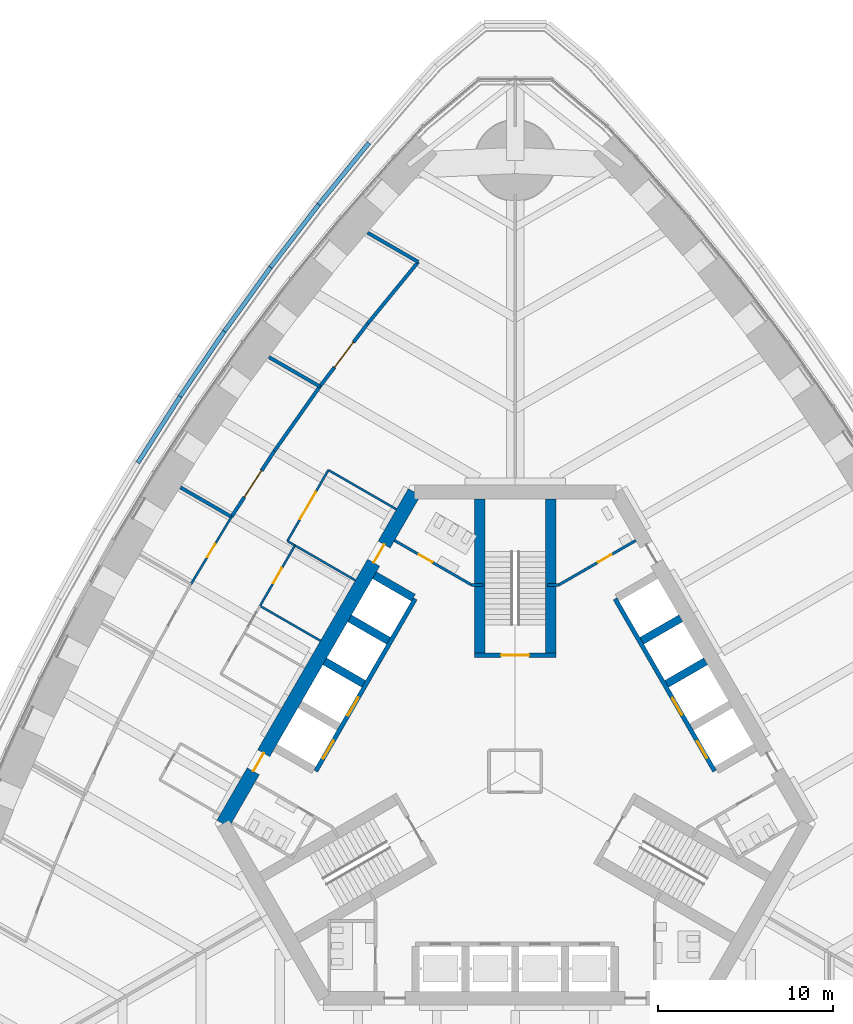
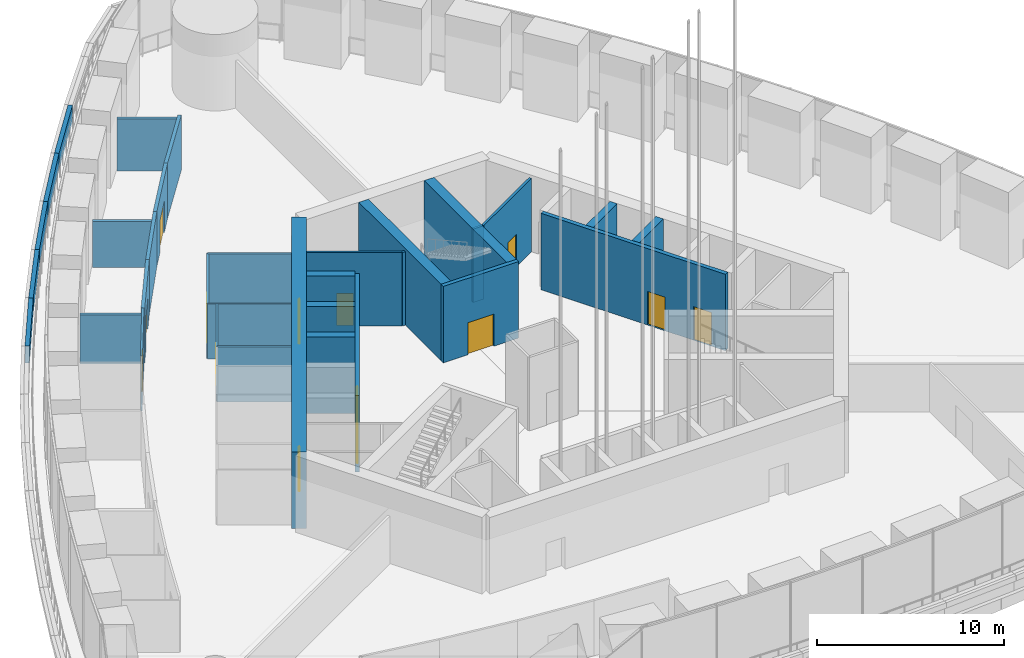
# One storey, part 16 of 33: 33 walls, 14 doors, 14 openings.
"""IFC4 building model written with IfcOpenShell, lengths in metres."""

from ifc_helpers import new_model, si_unit, direction, frame, frame_2d, origin, place, context, subcontext, project, spatial, rectangle, extrude, material, layer, layer_set, type_object, element, fill, save


model = new_model("IFC4")

# Units and contexts
model_context = context("Model", 3, precision=1e-05, world=origin(), true_north=direction((0.0, 1.0)))
body_context = subcontext(model_context, "Body", "Model", "MODEL_VIEW")
ifc_project = project(units=[si_unit("LENGTHUNIT", "METRE"), si_unit("AREAUNIT", "SQUARE_METRE"), si_unit("VOLUMEUNIT", "CUBIC_METRE"), si_unit("PLANEANGLEUNIT", "RADIAN"), si_unit("MASSUNIT", "GRAM", prefix="KILO")], contexts=[model_context])

# Site, building, storey
site_placement = place(None, origin())
site = spatial("IfcSite", under=ifc_project, at=site_placement, CompositionType="ELEMENT")
building_placement = place(site_placement, origin())
building = spatial("IfcBuilding", under=site, at=building_placement, Name="Trefoil Bronze Tower", CompositionType="ELEMENT")
storey_placement = place(building_placement, frame((0.0, 0.0, 98.10009765625)))
storey = spatial("IfcBuildingStorey", under=building, at=storey_placement, Name="L22", CompositionType="ELEMENT", Elevation=98.10009765625)

# Wall
ifc_material_1 = material(Name="Gypsum board on steel studs", Category="steel")
ifc_layer_1 = layer(ifc_material_1, 0.199951171875)
ifc_layer_set_1 = layer_set([ifc_layer_1], Name="Acoustic partition 200")
wall_type_1 = type_object("IfcWallType", Name="Acoustic partition 200", PredefinedType="PARTITIONING", material=ifc_layer_set_1)
wall_1_placement = place(storey_placement, frame((-11.192138671875, 22.05029296875, 0.0), z_axis=(0.0, 0.0, 1.0), x_axis=(-0.575987178736, -0.817458726745, 0.0)))
element("IfcWall", 1, at=wall_1_placement, inside=storey, type_object=wall_type_1, Name="Partition F3 L22", PredefinedType="PARTITIONING", context=body_context, shape_type="SweptSolid", body=[
    extrude(rectangle(XDim=4.518310546875, YDim=0.199951171875, at=frame_2d((2.25927734375, 0.0))), origin(), (0.0, 0.0, 1.0), 3.599853515625),
])

# Wall, opening, door
wall_2_placement = place(storey_placement, frame((-8.446533203125, 25.6611328125, 0.0), z_axis=(0.0, 0.0, 1.0), x_axis=(-0.605274299339, -0.796016973789, 0.0)))
wall_2 = element("IfcWall", 2, at=wall_2_placement, inside=storey, type_object=wall_type_1, Name="Partition F3 L22", PredefinedType="PARTITIONING", context=body_context, shape_type="SweptSolid", body=[
    extrude(rectangle(XDim=4.5361328125, YDim=0.199951171875, at=frame_2d((2.26806640625, 0.0))), origin(), (0.0, 0.0, 1.0), 3.599853515625),
])
opening_1_placement = place(wall_2_placement, frame((1.35009765625, 0.0, 0.0)))
opening_1 = element("IfcOpeningElement", 3, at=opening_1_placement, cuts=wall_2, Name="Opening D10", PredefinedType="OPENING", context=body_context, shape_type="SweptSolid", body=[
    extrude(rectangle(XDim=1.800048828125, YDim=2.10009765625, at=frame_2d((0.89990234375, 1.050048828125))), frame((0.0, 0.10986328125, 0.0), z_axis=(0.0, -1.0, 0.0), x_axis=(1.0, 0.0, 0.0)), (0.0, 0.0, 1.0), 0.219970703125),
])
ifc_material_2 = material(Name="Timber door", Category="wood")
door_type_1 = type_object("IfcDoorType", Name="Double door 1800", OperationType="DOUBLE_DOOR_SINGLE_SWING", PredefinedType="DOOR", material=ifc_material_2)
door_1_placement = place(opening_1_placement, frame((1.800048828125, 0.0, 0.0), z_axis=(0.0, 0.0, 1.0), x_axis=(-1.0, 0.0, 0.0)))
door_1 = element("IfcDoor", 4, at=door_1_placement, inside=storey, type_object=door_type_1, Name="Conference room door F3 L22", OperationType="DOUBLE_DOOR_SINGLE_SWING", OverallHeight=2.10009765625, OverallWidth=1.800048828125, PredefinedType="DOOR", context=body_context, shape_type="SweptSolid", body=[
    extrude(rectangle(XDim=1.800048828125, YDim=2.10009765625, at=frame_2d((0.89990234375, 1.050048828125))), frame((0.0, 0.02490234375, 0.0), z_axis=(0.0, -1.0, 0.0), x_axis=(1.0, 0.0, 0.0)), (0.0, 0.0, 1.0), 0.050048828125),
])
fill(opening_1, door_1)

# Wall
wall_3_placement = place(storey_placement, frame((-5.555908203125, 29.1884765625, 0.0), z_axis=(0.0, 0.0, 1.0), x_axis=(-0.633843962561, -0.773460943503, 0.0)))
element("IfcWall", 5, at=wall_3_placement, inside=storey, type_object=wall_type_1, Name="Partition F3 L22", PredefinedType="PARTITIONING", context=body_context, shape_type="SweptSolid", body=[
    extrude(rectangle(XDim=4.560546875, YDim=0.199951171875, at=frame_2d((2.2802734375, 0.0))), origin(), (0.0, 0.0, 1.0), 3.599853515625),
])

# Wall, opening, door
wall_4_placement = place(storey_placement, frame((-13.794677734375, 18.356689453125, 0.0), z_axis=(0.0, 0.0, 1.0), x_axis=(-0.546069464151, -0.837739900161, 0.0)))
wall_4 = element("IfcWall", 6, at=wall_4_placement, inside=storey, type_object=wall_type_1, Name="Partition F3 L22", PredefinedType="PARTITIONING", context=body_context, shape_type="SweptSolid", body=[
    extrude(rectangle(XDim=4.506591796875, YDim=0.199951171875, at=frame_2d((2.25341796875, 0.0))), origin(), (0.0, 0.0, 1.0), 3.599853515625),
])
opening_2_placement = place(wall_4_placement, frame((1.35009765625, 0.0, 0.0)))
opening_2 = element("IfcOpeningElement", 7, at=opening_2_placement, cuts=wall_4, Name="Opening D10", PredefinedType="OPENING", context=body_context, shape_type="SweptSolid", body=[
    extrude(rectangle(XDim=1.800048828125, YDim=2.10009765625, at=frame_2d((0.89990234375, 1.050048828125))), frame((0.0, 0.10986328125, 0.0), z_axis=(0.0, -1.0, 0.0), x_axis=(1.0, 0.0, 0.0)), (0.0, 0.0, 1.0), 0.219970703125),
])
door_2_placement = place(opening_2_placement, frame((1.800048828125, 0.0, 0.0), z_axis=(0.0, 0.0, 1.0), x_axis=(-1.0, 0.0, 0.0)))
door_2 = element("IfcDoor", 8, at=door_2_placement, inside=storey, type_object=door_type_1, Name="Conference room door F3 L22", OperationType="DOUBLE_DOOR_SINGLE_SWING", OverallHeight=2.10009765625, OverallWidth=1.800048828125, PredefinedType="DOOR", context=body_context, shape_type="SweptSolid", body=[
    extrude(rectangle(XDim=1.800048828125, YDim=2.10009765625, at=frame_2d((0.89990234375, 1.050048828125))), frame((0.0, 0.02490234375, 0.0), z_axis=(0.0, -1.0, 0.0), x_axis=(1.0, 0.0, 0.0)), (0.0, 0.0, 1.0), 0.050048828125),
])
fill(opening_2, door_2)

# Walls
wall_5_placement = place(storey_placement, frame((-11.192138671875, 22.05029296875, 0.0), z_axis=(0.0, 0.0, 1.0), x_axis=(-0.866025882247, 0.499999171277, 0.0)))
element("IfcWall", 9, at=wall_5_placement, inside=storey, type_object=wall_type_1, Name="Partition F3 L22", PredefinedType="PARTITIONING", context=body_context, shape_type="SweptSolid", body=[
    extrude(rectangle(XDim=3.3603515625, YDim=0.199951171875, at=frame_2d((1.68017578125, 0.0))), origin(), (0.0, 0.0, 1.0), 3.0),
])
wall_6_placement = place(storey_placement, frame((-5.555908203125, 29.1884765625, 0.0), z_axis=(0.0, 0.0, 1.0), x_axis=(-0.866018979599, 0.50001112685, 0.0)))
element("IfcWall", 10, at=wall_6_placement, inside=storey, type_object=wall_type_1, Name="Partition F3 L22", PredefinedType="PARTITIONING", context=body_context, shape_type="SweptSolid", body=[
    extrude(rectangle(XDim=3.34326171875, YDim=0.199951171875, at=frame_2d((1.671630859375, 0.0))), origin(), (0.0, 0.0, 1.0), 3.39990234375),
])
wall_7_placement = place(storey_placement, frame((-16.255615234375, 14.581298828125, 0.0), z_axis=(0.0, 0.0, 1.0), x_axis=(-0.866022675988, 0.500004724652, 0.0)))
element("IfcWall", 11, at=wall_7_placement, inside=storey, type_object=wall_type_1, Name="Partition F3 L22", PredefinedType="PARTITIONING", context=body_context, shape_type="SweptSolid", body=[
    extrude(rectangle(XDim=3.369140625, YDim=0.199951171875, at=frame_2d((1.6845703125, 0.0))), origin(), (0.0, 0.0, 1.0), 3.199951171875),
])

# Wall, openings, doors
ifc_material_3 = material(Name="Concrete B80", Category="concrete")
ifc_layer_2 = layer(ifc_material_3, 0.800048828125)
ifc_layer_set_2 = layer_set([ifc_layer_2], Name="Core wall 800")
wall_type_2 = type_object("IfcWallType", Name="Core wall 800", PredefinedType="SHEAR", material=ifc_layer_set_2)
wall_8_placement = place(storey_placement, frame((-5.7734375, 16.0, 0.0), z_axis=(0.0, 0.0, 1.0), x_axis=(-0.500002442456, -0.866023993627, 0.0)))
wall_8 = element("IfcWall", 12, at=wall_8_placement, inside=storey, type_object=wall_type_2, Name="Core long wall 3 L22", PredefinedType="SHEAR", context=body_context, shape_type="SweptSolid", body=[
    extrude(rectangle(XDim=21.939453125, YDim=0.800048828125, at=frame_2d((10.9697265625, 0.0))), origin(), (0.0, 0.0, 1.0), 5.0),
])
opening_3_placement = place(wall_8_placement, frame((17.269775390625, 0.0, 0.0)))
opening_3 = element("IfcOpeningElement", 13, at=opening_3_placement, cuts=wall_8, Name="Opening D2", PredefinedType="OPENING", context=body_context, shape_type="SweptSolid", body=[
    extrude(rectangle(XDim=1.199951171875, YDim=2.10009765625, at=frame_2d((0.60009765625, 1.050048828125))), frame((0.0, 0.409912109375, 0.0), z_axis=(0.0, -1.0, 0.0), x_axis=(1.0, 0.0, 0.0)), (0.0, 0.0, 1.0), 0.820068359375),
])
opening_4_placement = place(wall_8_placement, frame((3.4697265625, 0.0, 0.0)))
opening_4 = element("IfcOpeningElement", 14, at=opening_4_placement, cuts=wall_8, Name="Opening D2", PredefinedType="OPENING", context=body_context, shape_type="SweptSolid", body=[
    extrude(rectangle(XDim=1.199951171875, YDim=2.10009765625, at=frame_2d((0.60009765625, 1.050048828125))), frame((0.0, 0.409912109375, 0.0), z_axis=(0.0, -1.0, 0.0), x_axis=(1.0, 0.0, 0.0)), (0.0, 0.0, 1.0), 0.820068359375),
])
ifc_material_4 = material(Name="Steel door", Category="steel")
door_type_2 = type_object("IfcDoorType", Name="Lobby door 1200", OperationType="SINGLE_SWING_RIGHT", PredefinedType="DOOR", material=ifc_material_4)
door_3_placement = place(opening_3_placement, origin())
door_3 = element("IfcDoor", 15, at=door_3_placement, inside=storey, type_object=door_type_2, Name="Lobby door F3+ L22", OperationType="SINGLE_SWING_RIGHT", OverallHeight=2.10009765625, OverallWidth=1.199951171875, PredefinedType="DOOR", context=body_context, shape_type="SweptSolid", body=[
    extrude(rectangle(XDim=1.199951171875, YDim=2.10009765625, at=frame_2d((0.60009765625, 1.050048828125))), frame((0.0, 0.02490234375, 0.0), z_axis=(0.0, -1.0, 0.0), x_axis=(1.0, 0.0, 0.0)), (0.0, 0.0, 1.0), 0.050048828125),
])
fill(opening_3, door_3)
door_4_placement = place(opening_4_placement, origin())
door_4 = element("IfcDoor", 16, at=door_4_placement, inside=storey, type_object=door_type_2, Name="Lobby door F3- L22", OperationType="SINGLE_SWING_LEFT", OverallHeight=2.10009765625, OverallWidth=1.199951171875, PredefinedType="DOOR", context=body_context, shape_type="SweptSolid", body=[
    extrude(rectangle(XDim=1.199951171875, YDim=2.10009765625, at=frame_2d((0.60009765625, 1.050048828125))), frame((0.0, 0.02490234375, 0.0), z_axis=(0.0, -1.0, 0.0), x_axis=(1.0, 0.0, 0.0)), (0.0, 0.0, 1.0), 0.050048828125),
])
fill(opening_4, door_4)

# Wall, opening, door
ifc_material_5 = material(Name="Glazed partition", Category="glass")
ifc_layer_3 = layer(ifc_material_5, 0.1201171875)
ifc_layer_set_3 = layer_set([ifc_layer_3], Name="Glazed partition 120")
wall_type_3 = type_object("IfcWallType", Name="Glazed partition 120", PredefinedType="PARTITIONING", material=ifc_layer_set_3)
wall_9_placement = place(storey_placement, frame((-12.618896484375, 12.943603515625, 0.0), z_axis=(0.0, 0.0, 1.0), x_axis=(-0.49999894854, -0.866026010844, 0.0)))
wall_9 = element("IfcWall", 17, at=wall_9_placement, inside=storey, type_object=wall_type_3, Name="Partition F3 L22", PredefinedType="PARTITIONING", context=body_context, shape_type="SweptSolid", body=[
    extrude(rectangle(XDim=4.0, YDim=0.1201171875, at=frame_2d((2.0, 0.0))), origin(), (0.0, 0.0, 1.0), 3.599853515625),
])
opening_5_placement = place(wall_9_placement, frame((1.5, 0.0, 0.0)))
opening_5 = element("IfcOpeningElement", 18, at=opening_5_placement, cuts=wall_9, Name="Opening D9", PredefinedType="OPENING", context=body_context, shape_type="SweptSolid", body=[
    extrude(rectangle(XDim=1.0, YDim=2.10009765625, at=frame_2d((0.5, 1.050048828125))), frame((0.0, 0.070068359375, 0.0), z_axis=(0.0, -1.0, 0.0), x_axis=(1.0, 0.0, 0.0)), (0.0, 0.0, 1.0), 0.14013671875),
])
ifc_material_6 = material(Name="Glazed timber door", Category="wood")
door_type_3 = type_object("IfcDoorType", Name="Meeting room door 1000", OperationType="SINGLE_SWING_LEFT", PredefinedType="DOOR", material=ifc_material_6)
door_5_placement = place(opening_5_placement, origin())
door_5 = element("IfcDoor", 19, at=door_5_placement, inside=storey, type_object=door_type_3, Name="Waiting room door F3 L22", OperationType="SINGLE_SWING_LEFT", OverallHeight=2.10009765625, OverallWidth=1.0, PredefinedType="DOOR", context=body_context, shape_type="SweptSolid", body=[
    extrude(rectangle(XDim=1.0, YDim=2.10009765625, at=frame_2d((0.5, 1.050048828125))), frame((0.0, 0.02490234375, 0.0), z_axis=(0.0, -1.0, 0.0), x_axis=(1.0, 0.0, 0.0)), (0.0, 0.0, 1.0), 0.050048828125),
])
fill(opening_5, door_5)

wall_10_placement = place(storey_placement, frame((-10.701904296875, 17.263916015625, 0.0), z_axis=(0.0, 0.0, 1.0), x_axis=(-0.499977259774, -0.866038532462, 0.0)))
wall_10 = element("IfcWall", 20, at=wall_10_placement, inside=storey, type_object=wall_type_3, Name="Partition F3 L22", PredefinedType="PARTITIONING", context=body_context, shape_type="SweptSolid", body=[
    extrude(rectangle(XDim=4.699951171875, YDim=0.1201171875, at=frame_2d((2.35009765625, 0.0))), origin(), (0.0, 0.0, 1.0), 3.599853515625),
])
opening_6_placement = place(wall_10_placement, frame((1.449951171875, 0.0, 0.0)))
opening_6 = element("IfcOpeningElement", 21, at=opening_6_placement, cuts=wall_10, Name="Opening D10", PredefinedType="OPENING", context=body_context, shape_type="SweptSolid", body=[
    extrude(rectangle(XDim=1.800048828125, YDim=2.10009765625, at=frame_2d((0.89990234375, 1.050048828125))), frame((0.0, 0.070068359375, 0.0), z_axis=(0.0, -1.0, 0.0), x_axis=(1.0, 0.0, 0.0)), (0.0, 0.0, 1.0), 0.14013671875),
])
door_6_placement = place(opening_6_placement, frame((1.800048828125, 0.0, 0.0), z_axis=(0.0, 0.0, 1.0), x_axis=(-1.0, 0.0, 0.0)))
door_6 = element("IfcDoor", 22, at=door_6_placement, inside=storey, type_object=door_type_1, Name="Reception door F3 L22", OperationType="DOUBLE_DOOR_SINGLE_SWING", OverallHeight=2.10009765625, OverallWidth=1.800048828125, PredefinedType="DOOR", context=body_context, shape_type="SweptSolid", body=[
    extrude(rectangle(XDim=1.800048828125, YDim=2.10009765625, at=frame_2d((0.89990234375, 1.050048828125))), frame((0.0, 0.02490234375, 0.0), z_axis=(0.0, -1.0, 0.0), x_axis=(1.0, 0.0, 0.0)), (0.0, 0.0, 1.0), 0.050048828125),
])
fill(opening_6, door_6)

# Walls
wall_11_placement = place(storey_placement, frame((-11.15478515625, 7.4794921875, 0.0), z_axis=(0.0, 0.0, 1.0), x_axis=(-0.866026010844, 0.49999894854, 0.0)))
element("IfcWall", 23, at=wall_11_placement, inside=storey, type_object=wall_type_3, Name="Partition F3 L22", PredefinedType="PARTITIONING", context=body_context, shape_type="SweptSolid", body=[
    extrude(rectangle(XDim=4.0, YDim=0.1201171875, at=frame_2d((2.0, 0.0))), origin(), (0.0, 0.0, 1.0), 3.599853515625),
])
wall_12_placement = place(storey_placement, frame((-9.15478515625, 10.943603515625, 0.0), z_axis=(0.0, 0.0, 1.0), x_axis=(-0.866017533419, 0.500013631625, 0.0)))
element("IfcWall", 24, at=wall_12_placement, inside=storey, type_object=wall_type_3, Name="Partition F3 L22", PredefinedType="PARTITIONING", context=body_context, shape_type="SweptSolid", body=[
    extrude(rectangle(XDim=4.499755859375, YDim=0.1201171875, at=frame_2d((2.25, 0.0))), origin(), (0.0, 0.0, 1.0), 3.599853515625),
])
wall_13_placement = place(storey_placement, frame((-6.8046875, 15.013916015625, 0.0), z_axis=(0.0, 0.0, 1.0), x_axis=(-0.866031096941, 0.499990139034, 0.0)))
element("IfcWall", 25, at=wall_13_placement, inside=storey, type_object=wall_type_3, Name="Partition F3 L22", PredefinedType="PARTITIONING", context=body_context, shape_type="SweptSolid", body=[
    extrude(rectangle(XDim=4.5, YDim=0.1201171875, at=frame_2d((2.25, 0.0))), origin(), (0.0, 0.0, 1.0), 3.599853515625),
])

# Wall, opening, door
wall_14_placement = place(storey_placement, frame((-16.255615234375, 14.581298828125, 0.0), z_axis=(0.0, 0.0, 1.0), x_axis=(-0.515548366618, -0.856860479703, 0.0)))
wall_14 = element("IfcWall", 26, at=wall_14_placement, inside=storey, type_object=wall_type_3, Name="Partition F3 L22", PredefinedType="PARTITIONING", context=body_context, shape_type="SweptSolid", body=[
    extrude(rectangle(XDim=4.500732421875, YDim=0.1201171875, at=frame_2d((2.25048828125, 0.0))), origin(), (0.0, 0.0, 1.0), 3.599853515625),
])
opening_7_placement = place(wall_14_placement, frame((1.800048828125, 0.0, 0.0)))
opening_7 = element("IfcOpeningElement", 27, at=opening_7_placement, cuts=wall_14, Name="Opening D8", PredefinedType="OPENING", context=body_context, shape_type="SweptSolid", body=[
    extrude(rectangle(XDim=0.89990234375, YDim=2.10009765625, at=frame_2d((0.449951171875, 1.050048828125))), frame((0.0, 0.070068359375, 0.0), z_axis=(0.0, -1.0, 0.0), x_axis=(1.0, 0.0, 0.0)), (0.0, 0.0, 1.0), 0.14013671875),
])
ifc_material_7 = material(Name="Timber door", Category="wood")
door_type_4 = type_object("IfcDoorType", Name="Office door 900", OperationType="SINGLE_SWING_LEFT", PredefinedType="DOOR", material=ifc_material_7)
door_7_placement = place(opening_7_placement, frame((0.89990234375, 0.0, 0.0), z_axis=(0.0, 0.0, 1.0), x_axis=(-1.0, 0.0, 0.0)))
door_7 = element("IfcDoor", 28, at=door_7_placement, inside=storey, type_object=door_type_4, Name="Office door F3 L22", OperationType="SINGLE_SWING_RIGHT", OverallHeight=2.10009765625, OverallWidth=0.89990234375, PredefinedType="DOOR", context=body_context, shape_type="SweptSolid", body=[
    extrude(rectangle(XDim=0.89990234375, YDim=2.10009765625, at=frame_2d((0.449951171875, 1.050048828125))), frame((0.0, 0.02490234375, 0.0), z_axis=(0.0, -1.0, 0.0), x_axis=(1.0, 0.0, 0.0)), (0.0, 0.0, 1.0), 0.050048828125),
])
fill(opening_7, door_7)

# Walls
ifc_material_8 = material(Name="Concrete B80", Category="concrete")
ifc_layer_4 = layer(ifc_material_8, 0.449951171875)
ifc_layer_set_4 = layer_set([ifc_layer_4], Name="Outrigger shaft wall 450")
wall_type_4 = type_object("IfcWallType", Name="Outrigger shaft wall 450", PredefinedType="SHEAR", material=ifc_layer_set_4)
for number, where, z_axis, x_axis, name in (
    (29, (8.681884765625, 5.012451171875, 0.0), (0.0, 0.0, 1.0), (0.866005588531, 0.500034319456, 0.0), "Lift shaft side wall B2 L22"),
    (30, (7.2568359375, 7.480712890625, 0.0), (0.0, 0.0, 1.0), (0.866046643894, 0.499963209246, 0.0), "Lift shaft side wall B3 L22"),
):
    element("IfcWall", number, at=place(storey_placement, frame(where, z_axis=z_axis, x_axis=x_axis)), inside=storey, type_object=wall_type_4, Name=name, PredefinedType="SHEAR", context=body_context, shape_type="SweptSolid", body=[
        extrude(rectangle(XDim=2.574951171875, YDim=0.449951171875, at=frame_2d((1.28759765625, 0.0))), origin(), (0.0, 0.0, 1.0), 5.0),
    ])
wall_15_placement = place(storey_placement, frame((-5.831787109375, 9.94873046875, 0.0), z_axis=(0.0, 0.0, 1.0), x_axis=(-0.866029291668, 0.499993265928, 0.0)))
element("IfcWall", 31, at=wall_15_placement, inside=storey, type_object=wall_type_4, Name="Lift shaft side wall C0 L22", PredefinedType="SHEAR", context=body_context, shape_type="SweptSolid", body=[
    extrude(rectangle(XDim=2.5751953125, YDim=0.449951171875, at=frame_2d((1.28759765625, 0.0))), origin(), (0.0, 0.0, 1.0), 5.0),
])
for number, where, z_axis, x_axis, name in (
    (32, (-7.2568359375, 7.480712890625, 0.0), (0.0, 0.0, 1.0), (-0.866046643894, 0.499963209246, 0.0), "Lift shaft side wall C1 L22"),
    (33, (-8.681884765625, 5.012451171875, 0.0), (0.0, 0.0, 1.0), (-0.866005588531, 0.500034319456, 0.0), "Lift shaft side wall C2 L22"),
):
    element("IfcWall", number, at=place(storey_placement, frame(where, z_axis=z_axis, x_axis=x_axis)), inside=storey, type_object=wall_type_4, Name=name, PredefinedType="SHEAR", context=body_context, shape_type="SweptSolid", body=[
        extrude(rectangle(XDim=2.574951171875, YDim=0.449951171875, at=frame_2d((1.28759765625, 0.0))), origin(), (0.0, 0.0, 1.0), 5.0),
    ])
ifc_material_9 = material(Name="Concrete B80", Category="concrete")
ifc_layer_5 = layer(ifc_material_9, 0.25)
ifc_layer_set_5 = layer_set([ifc_layer_5], Name="Parapet 250")
wall_type_5 = type_object("IfcWallType", Name="Parapet 250", PredefinedType="PARAPET", material=ifc_layer_set_5)
wall_16_placement = place(storey_placement, frame((-8.371826171875, 36.01025390625, 0.0), z_axis=(0.0, 0.0, 1.0), x_axis=(-0.631833879056, -0.775103831288, 0.0)))
element("IfcWall", 34, at=wall_16_placement, inside=storey, type_object=wall_type_5, Name="Parapet L22.41", PredefinedType="PARAPET", context=body_context, shape_type="SweptSolid", body=[
    extrude(rectangle(XDim=4.558349609375, YDim=0.25, at=frame_2d((2.279296875, 0.0))), origin(), (0.0, 0.0, 1.0), 1.099853515625),
])
wall_17_placement = place(storey_placement, frame((-11.251953125, 32.47705078125, 0.0), z_axis=(0.0, 0.0, 1.0), x_axis=(-0.608784932975, -0.79333530451, 0.0)))
element("IfcWall", 35, at=wall_17_placement, inside=storey, type_object=wall_type_5, Name="Parapet L22.42", PredefinedType="PARAPET", context=body_context, shape_type="SweptSolid", body=[
    extrude(rectangle(XDim=4.538818359375, YDim=0.25, at=frame_2d((2.26953125, 0.0))), origin(), (0.0, 0.0, 1.0), 1.099853515625),
])
wall_18_placement = place(storey_placement, frame((-14.01513671875, 28.876220703125, 0.0), z_axis=(0.0, 0.0, 1.0), x_axis=(-0.585376255171, -0.810761765183, 0.0)))
element("IfcWall", 36, at=wall_18_placement, inside=storey, type_object=wall_type_5, Name="Parapet L22.43", PredefinedType="PARAPET", context=body_context, shape_type="SweptSolid", body=[
    extrude(rectangle(XDim=4.5234375, YDim=0.25, at=frame_2d((2.26171875, 0.0))), origin(), (0.0, 0.0, 1.0), 1.099853515625),
])
wall_19_placement = place(storey_placement, frame((-16.6630859375, 25.208740234375, 0.0), z_axis=(0.0, 0.0, 1.0), x_axis=(-0.561512004239, -0.827468591002, 0.0)))
element("IfcWall", 37, at=wall_19_placement, inside=storey, type_object=wall_type_5, Name="Parapet L22.44", PredefinedType="PARAPET", context=body_context, shape_type="SweptSolid", body=[
    extrude(rectangle(XDim=4.51171875, YDim=0.25, at=frame_2d((2.255859375, 0.0))), origin(), (0.0, 0.0, 1.0), 1.099853515625),
])
wall_20_placement = place(storey_placement, frame((-19.196533203125, 21.475341796875, 0.0), z_axis=(0.0, 0.0, 1.0), x_axis=(-0.537205132487, -0.843451626135, 0.0)))
element("IfcWall", 38, at=wall_20_placement, inside=storey, type_object=wall_type_5, Name="Parapet L22.45", PredefinedType="PARAPET", context=body_context, shape_type="SweptSolid", body=[
    extrude(rectangle(XDim=4.504150390625, YDim=0.25, at=frame_2d((2.251953125, 0.0))), origin(), (0.0, 0.0, 1.0), 1.099853515625),
])

# Wall, opening, door
ifc_material_10 = material(Name="Gypsum board on steel studs", Category="steel")
ifc_layer_6 = layer(ifc_material_10, 0.14990234375)
ifc_layer_set_6 = layer_set([ifc_layer_6], Name="Partition 150")
wall_type_6 = type_object("IfcWallType", Name="Partition 150", PredefinedType="PARTITIONING", material=ifc_layer_set_6)
wall_21_placement = place(storey_placement, frame((2.4951171875, 10.67822265625, 0.0), z_axis=(0.0, 0.0, 1.0), x_axis=(0.86602216432, 0.500005610874, 0.0)))
wall_21 = element("IfcWall", 39, at=wall_21_placement, inside=storey, type_object=wall_type_6, Name="Passage wall F2+ L22", PredefinedType="PARTITIONING", context=body_context, shape_type="SweptSolid", body=[
    extrude(rectangle(XDim=5.10009765625, YDim=0.14990234375, at=frame_2d((2.550048828125, 0.0))), origin(), (0.0, 0.0, 1.0), 4.7998046875),
])
opening_8_placement = place(wall_21_placement, frame((2.60009765625, 0.0, 0.0)))
opening_8 = element("IfcOpeningElement", 40, at=opening_8_placement, cuts=wall_21, Name="Opening D3", PredefinedType="OPENING", context=body_context, shape_type="SweptSolid", body=[
    extrude(rectangle(XDim=0.89990234375, YDim=2.10009765625, at=frame_2d((0.449951171875, 1.050048828125))), frame((0.0, 0.0849609375, 0.0), z_axis=(0.0, -1.0, 0.0), x_axis=(1.0, 0.0, 0.0)), (0.0, 0.0, 1.0), 0.169921875),
])
ifc_material_11 = material(Name="Timber door", Category="wood")
door_type_5 = type_object("IfcDoorType", Name="WC door 900", OperationType="SINGLE_SWING_LEFT", PredefinedType="DOOR", material=ifc_material_11)
door_8_placement = place(opening_8_placement, origin())
door_8 = element("IfcDoor", 41, at=door_8_placement, inside=storey, type_object=door_type_5, Name="Accessible WC door L22", OperationType="SINGLE_SWING_RIGHT", OverallHeight=2.10009765625, OverallWidth=0.89990234375, PredefinedType="DOOR", context=body_context, shape_type="SweptSolid", body=[
    extrude(rectangle(XDim=0.89990234375, YDim=2.10009765625, at=frame_2d((0.449951171875, 1.050048828125))), frame((0.0, 0.02490234375, 0.0), z_axis=(0.0, -1.0, 0.0), x_axis=(1.0, 0.0, 0.0)), (0.0, 0.0, 1.0), 0.050048828125),
])
fill(opening_8, door_8)

wall_22_placement = place(storey_placement, frame((-2.4951171875, 10.67822265625, 0.0), z_axis=(0.0, 0.0, 1.0), x_axis=(-0.86602216432, 0.500005610874, 0.0)))
wall_22 = element("IfcWall", 42, at=wall_22_placement, inside=storey, type_object=wall_type_6, Name="Passage wall F3- L22", PredefinedType="PARTITIONING", context=body_context, shape_type="SweptSolid", body=[
    extrude(rectangle(XDim=5.10009765625, YDim=0.14990234375, at=frame_2d((2.550048828125, 0.0))), origin(), (0.0, 0.0, 1.0), 4.7998046875),
])
opening_9_placement = place(wall_22_placement, frame((2.60009765625, 0.0, 0.0)))
opening_9 = element("IfcOpeningElement", 43, at=opening_9_placement, cuts=wall_22, Name="Opening D3", PredefinedType="OPENING", context=body_context, shape_type="SweptSolid", body=[
    extrude(rectangle(XDim=0.89990234375, YDim=2.10009765625, at=frame_2d((0.449951171875, 1.050048828125))), frame((0.0, 0.0849609375, 0.0), z_axis=(0.0, -1.0, 0.0), x_axis=(1.0, 0.0, 0.0)), (0.0, 0.0, 1.0), 0.169921875),
])
door_9_placement = place(opening_9_placement, frame((0.89990234375, 0.0, 0.0), z_axis=(0.0, 0.0, 1.0), x_axis=(-1.0, 0.0, 0.0)))
door_9 = element("IfcDoor", 44, at=door_9_placement, inside=storey, type_object=door_type_5, Name="WC (women) door L22", OperationType="SINGLE_SWING_LEFT", OverallHeight=2.10009765625, OverallWidth=0.89990234375, PredefinedType="DOOR", context=body_context, shape_type="SweptSolid", body=[
    extrude(rectangle(XDim=0.89990234375, YDim=2.10009765625, at=frame_2d((0.449951171875, 1.050048828125))), frame((0.0, 0.02490234375, 0.0), z_axis=(0.0, -1.0, 0.0), x_axis=(1.0, 0.0, 0.0)), (0.0, 0.0, 1.0), 0.050048828125),
])
fill(opening_9, door_9)

# Walls
for number, where, z_axis, x_axis, name in (
    (45, (2.4951171875, 10.67822265625, 0.0), (0.0, 0.0, 1.0), (-1.0, 0.0, 0.0), "WC wall ST2-1 L22"),
    (46, (-2.4951171875, 10.67822265625, 0.0), (0.0, 0.0, 1.0), (1.0, 0.0, 0.0), "WC wall ST2+1 L22"),
):
    element("IfcWall", number, at=place(storey_placement, frame(where, z_axis=z_axis, x_axis=x_axis)), inside=storey, type_object=wall_type_6, Name=name, PredefinedType="PARTITIONING", context=body_context, shape_type="SweptSolid", body=[
        extrude(rectangle(XDim=0.64501953125, YDim=0.14990234375, at=frame_2d((0.322509765625, 0.0))), origin(), (0.0, 0.0, 1.0), 4.7998046875),
    ])

# Wall, openings, doors
ifc_material_12 = material(Name="Concrete B80", Category="concrete")
ifc_layer_7 = layer(ifc_material_12, 0.25)
ifc_layer_set_7 = layer_set([ifc_layer_7], Name="Shaft wall 250")
wall_type_7 = type_object("IfcWallType", Name="Shaft wall 250", PredefinedType="SHEAR", material=ifc_layer_set_7)
wall_23_placement = place(storey_placement, frame((11.423583984375, 0.013671875, 0.0), z_axis=(0.0, 0.0, 1.0), x_axis=(-0.500001763848, 0.866024385424, 0.0)))
wall_23 = element("IfcWall", 47, at=wall_23_placement, inside=storey, type_object=wall_type_7, Name="Lift shaft front wall B L22", PredefinedType="SHEAR", context=body_context, shape_type="SweptSolid", body=[
    extrude(rectangle(XDim=11.39990234375, YDim=0.25, at=frame_2d((5.699951171875, 0.0))), origin(), (0.0, 0.0, 1.0), 5.0),
])
opening_10_placement = place(wall_23_placement, frame((0.875, 0.0, 0.0)))
opening_10 = element("IfcOpeningElement", 48, at=opening_10_placement, cuts=wall_23, Name="Opening LD-S1", PredefinedType="OPENING", context=body_context, shape_type="SweptSolid", body=[
    extrude(rectangle(XDim=1.10009765625, YDim=2.199951171875, at=frame_2d((0.550048828125, 1.10009765625))), frame((0.0, 0.135009765625, 0.0), z_axis=(0.0, -1.0, 0.0), x_axis=(1.0, 0.0, 0.0)), (0.0, 0.0, 1.0), 0.27001953125),
])
opening_11_placement = place(wall_23_placement, frame((3.72509765625, 0.0, 0.0)))
opening_11 = element("IfcOpeningElement", 49, at=opening_11_placement, cuts=wall_23, Name="Opening LD-S2", PredefinedType="OPENING", context=body_context, shape_type="SweptSolid", body=[
    extrude(rectangle(XDim=1.10009765625, YDim=2.199951171875, at=frame_2d((0.550048828125, 1.10009765625))), frame((0.0, 0.135009765625, 0.0), z_axis=(0.0, -1.0, 0.0), x_axis=(1.0, 0.0, 0.0)), (0.0, 0.0, 1.0), 0.27001953125),
])
ifc_material_13 = material(Name="Steel door", Category="steel")
door_type_6 = type_object("IfcDoorType", Name="Lift landing door 1100", OperationType="DOUBLE_DOOR_SLIDING", PredefinedType="DOOR", material=ifc_material_13)
door_10_placement = place(opening_10_placement, origin())
door_10 = element("IfcDoor", 50, at=door_10_placement, inside=storey, type_object=door_type_6, Name="Lift S1 landing door L22", OperationType="DOUBLE_DOOR_SLIDING", OverallHeight=2.199951171875, OverallWidth=1.10009765625, PredefinedType="DOOR", context=body_context, shape_type="SweptSolid", body=[
    extrude(rectangle(XDim=1.10009765625, YDim=2.199951171875, at=frame_2d((0.550048828125, 1.10009765625))), frame((0.0, 0.02490234375, 0.0), z_axis=(0.0, -1.0, 0.0), x_axis=(1.0, 0.0, 0.0)), (0.0, 0.0, 1.0), 0.050048828125),
])
fill(opening_10, door_10)
door_11_placement = place(opening_11_placement, origin())
door_11 = element("IfcDoor", 51, at=door_11_placement, inside=storey, type_object=door_type_6, Name="Lift S2 landing door L22", OperationType="DOUBLE_DOOR_SLIDING", OverallHeight=2.199951171875, OverallWidth=1.10009765625, PredefinedType="DOOR", context=body_context, shape_type="SweptSolid", body=[
    extrude(rectangle(XDim=1.10009765625, YDim=2.199951171875, at=frame_2d((0.550048828125, 1.10009765625))), frame((0.0, 0.02490234375, 0.0), z_axis=(0.0, -1.0, 0.0), x_axis=(1.0, 0.0, 0.0)), (0.0, 0.0, 1.0), 0.050048828125),
])
fill(opening_11, door_11)

wall_24_placement = place(storey_placement, frame((-5.7236328125, 9.88623046875, 0.0), z_axis=(0.0, 0.0, 1.0), x_axis=(-0.500001763848, -0.866024385424, 0.0)))
wall_24 = element("IfcWall", 52, at=wall_24_placement, inside=storey, type_object=wall_type_7, Name="Lift shaft front wall C L22", PredefinedType="SHEAR", context=body_context, shape_type="SweptSolid", body=[
    extrude(rectangle(XDim=11.39990234375, YDim=0.25, at=frame_2d((5.699951171875, 0.0))), origin(), (0.0, 0.0, 1.0), 5.0),
])
opening_12_placement = place(wall_24_placement, frame((6.52490234375, 0.0, 0.0)))
opening_12 = element("IfcOpeningElement", 53, at=opening_12_placement, cuts=wall_24, Name="Opening LD-FL1", PredefinedType="OPENING", context=body_context, shape_type="SweptSolid", body=[
    extrude(rectangle(XDim=1.199951171875, YDim=2.199951171875, at=frame_2d((0.60009765625, 1.10009765625))), frame((0.0, 0.135009765625, 0.0), z_axis=(0.0, -1.0, 0.0), x_axis=(1.0, 0.0, 0.0)), (0.0, 0.0, 1.0), 0.27001953125),
])
opening_13_placement = place(wall_24_placement, frame((9.375, 0.0, 0.0)))
opening_13 = element("IfcOpeningElement", 54, at=opening_13_placement, cuts=wall_24, Name="Opening LD-FL2", PredefinedType="OPENING", context=body_context, shape_type="SweptSolid", body=[
    extrude(rectangle(XDim=1.199951171875, YDim=2.199951171875, at=frame_2d((0.60009765625, 1.10009765625))), frame((0.0, 0.135009765625, 0.0), z_axis=(0.0, -1.0, 0.0), x_axis=(1.0, 0.0, 0.0)), (0.0, 0.0, 1.0), 0.27001953125),
])
ifc_material_14 = material(Name="Steel door", Category="steel")
door_type_7 = type_object("IfcDoorType", Name="Lift landing door 1200", OperationType="DOUBLE_DOOR_SLIDING", PredefinedType="DOOR", material=ifc_material_14)
door_12_placement = place(opening_12_placement, origin())
door_12 = element("IfcDoor", 55, at=door_12_placement, inside=storey, type_object=door_type_7, Name="Lift FL1 landing door L22", OperationType="DOUBLE_DOOR_SLIDING", OverallHeight=2.199951171875, OverallWidth=1.199951171875, PredefinedType="DOOR", context=body_context, shape_type="SweptSolid", body=[
    extrude(rectangle(XDim=1.199951171875, YDim=2.199951171875, at=frame_2d((0.60009765625, 1.10009765625))), frame((0.0, 0.02490234375, 0.0), z_axis=(0.0, -1.0, 0.0), x_axis=(1.0, 0.0, 0.0)), (0.0, 0.0, 1.0), 0.050048828125),
])
fill(opening_12, door_12)
door_13_placement = place(opening_13_placement, origin())
door_13 = element("IfcDoor", 56, at=door_13_placement, inside=storey, type_object=door_type_7, Name="Lift FL2 landing door L22", OperationType="DOUBLE_DOOR_SLIDING", OverallHeight=2.199951171875, OverallWidth=1.199951171875, PredefinedType="DOOR", context=body_context, shape_type="SweptSolid", body=[
    extrude(rectangle(XDim=1.199951171875, YDim=2.199951171875, at=frame_2d((0.60009765625, 1.10009765625))), frame((0.0, 0.02490234375, 0.0), z_axis=(0.0, -1.0, 0.0), x_axis=(1.0, 0.0, 0.0)), (0.0, 0.0, 1.0), 0.050048828125),
])
fill(opening_13, door_13)

# Wall, opening, door
wall_25_placement = place(storey_placement, frame((2.324951171875, 6.64990234375, 0.0), z_axis=(0.0, 0.0, 1.0), x_axis=(-1.0, 0.0, 0.0)))
wall_25 = element("IfcWall", 57, at=wall_25_placement, inside=storey, type_object=wall_type_7, Name="Stair end wall ST2 L22", PredefinedType="SHEAR", context=body_context, shape_type="SweptSolid", body=[
    extrude(rectangle(XDim=4.64990234375, YDim=0.25, at=frame_2d((2.324951171875, 0.0))), origin(), (0.0, 0.0, 1.0), 5.0),
])
opening_14_placement = place(wall_25_placement, frame((1.52490234375, 0.0, 0.0)))
opening_14 = element("IfcOpeningElement", 58, at=opening_14_placement, cuts=wall_25, Name="Opening D1", PredefinedType="OPENING", context=body_context, shape_type="SweptSolid", body=[
    extrude(rectangle(XDim=1.60009765625, YDim=2.10009765625, at=frame_2d((0.800048828125, 1.050048828125))), frame((0.0, 0.135009765625, 0.0), z_axis=(0.0, -1.0, 0.0), x_axis=(1.0, 0.0, 0.0)), (0.0, 0.0, 1.0), 0.27001953125),
])
ifc_material_15 = material(Name="Steel door", Category="steel")
door_type_8 = type_object("IfcDoorType", Name="Stair door 1600", OperationType="DOUBLE_DOOR_SINGLE_SWING", PredefinedType="DOOR", material=ifc_material_15)
door_14_placement = place(opening_14_placement, frame((1.60009765625, 0.0, 0.0), z_axis=(0.0, 0.0, 1.0), x_axis=(-1.0, 0.0, 0.0)))
door_14 = element("IfcDoor", 59, at=door_14_placement, inside=storey, type_object=door_type_8, Name="Stair door ST2 L22", OperationType="DOUBLE_DOOR_SINGLE_SWING", OverallHeight=2.10009765625, OverallWidth=1.60009765625, PredefinedType="DOOR", context=body_context, shape_type="SweptSolid", body=[
    extrude(rectangle(XDim=1.60009765625, YDim=2.10009765625, at=frame_2d((0.800048828125, 1.050048828125))), frame((0.0, 0.02490234375, 0.0), z_axis=(0.0, -1.0, 0.0), x_axis=(1.0, 0.0, 0.0)), (0.0, 0.0, 1.0), 0.050048828125),
])
fill(opening_14, door_14)

# Walls
ifc_material_16 = material(Name="Concrete B80", Category="concrete")
ifc_layer_8 = layer(ifc_material_16, 0.60009765625)
ifc_layer_set_8 = layer_set([ifc_layer_8], Name="Stair wall 600")
wall_type_8 = type_object("IfcWallType", Name="Stair wall 600", PredefinedType="SHEAR", material=ifc_layer_set_8)
for number, where, z_axis, x_axis, name in (
    (60, (2.02490234375, 6.52490234375, 0.0), (0.0, 0.0, 1.0), (0.0, 1.0, 0.0), "Stair wall ST2 L22"),
    (61, (-2.02490234375, 6.52490234375, 0.0), (0.0, 0.0, 1.0), (0.0, 1.0, 0.0), "Stair wall ST2 L22"),
):
    element("IfcWall", number, at=place(storey_placement, frame(where, z_axis=z_axis, x_axis=x_axis)), inside=storey, type_object=wall_type_8, Name=name, PredefinedType="SHEAR", context=body_context, shape_type="SweptSolid", body=[
        extrude(rectangle(XDim=9.0751953125, YDim=0.60009765625, at=frame_2d((4.53759765625, 0.0))), origin(), (0.0, 0.0, 1.0), 5.0),
    ])

save(model, "model.ifc")
